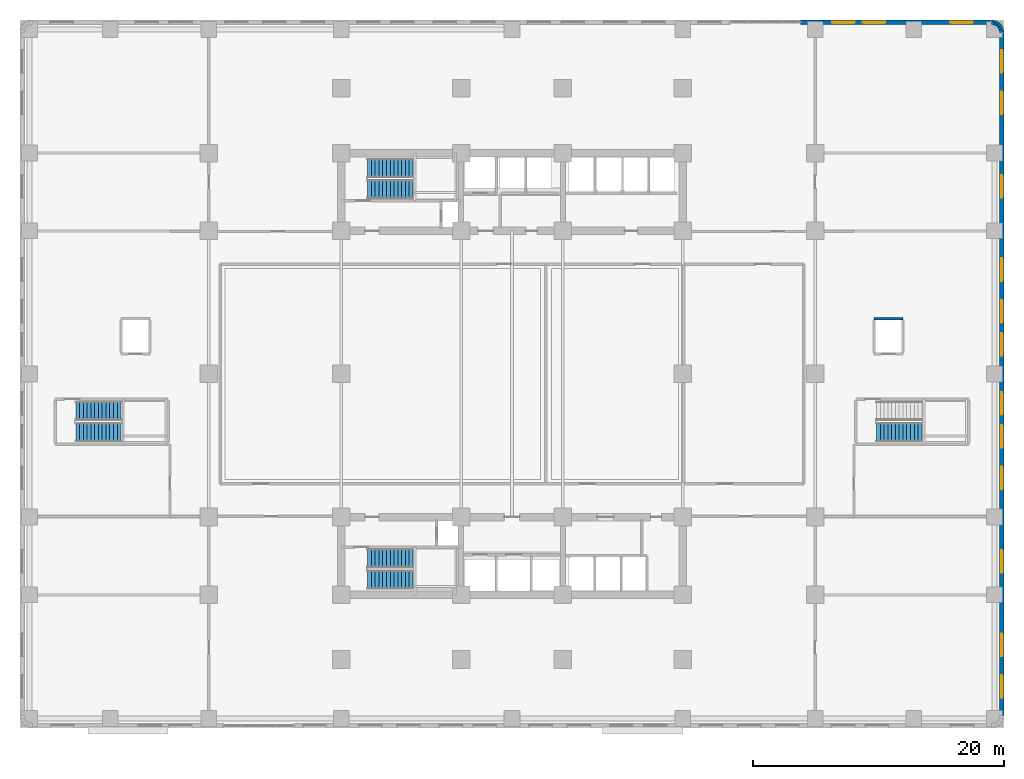
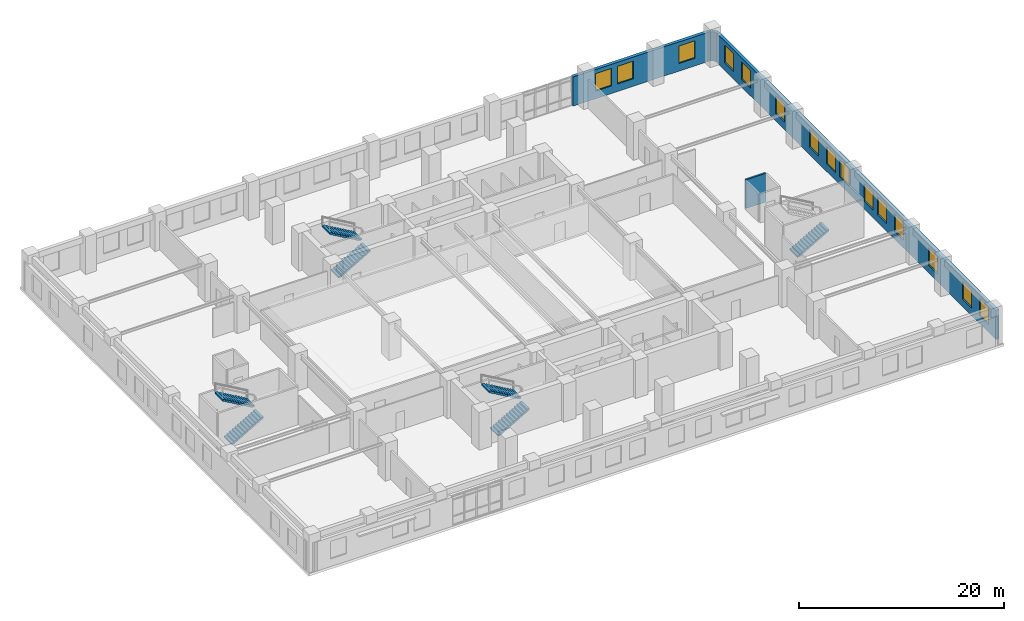
# One storey, part 11 of 16: 15 windows, 8 walls, 7 stair flights, 15 openings, 4 elements without a shape of their own.
"""IFC4 building model written with IfcOpenShell, lengths in metres."""

from ifc_helpers import new_model, si_unit, direction, frame, frame_2d, origin, place, context, subcontext, project, spatial, polyline, rectangle, outline, extrude, material, layer, layer_set, type_object, element, fill, aggregate, save


model = new_model("IFC4")

# Units and contexts
model_context = context("Model", 3, precision=1e-05, world=origin(), true_north=direction((0.0, 1.0)))
body_context = subcontext(model_context, "Body", "Model", "MODEL_VIEW")
ifc_project = project(units=[si_unit("LENGTHUNIT", "METRE"), si_unit("AREAUNIT", "SQUARE_METRE"), si_unit("VOLUMEUNIT", "CUBIC_METRE"), si_unit("PLANEANGLEUNIT", "RADIAN"), si_unit("MASSUNIT", "GRAM", prefix="KILO")], contexts=[model_context])

# Site, building, storey
site_placement = place(None, origin())
site = spatial("IfcSite", under=ifc_project, at=site_placement, CompositionType="ELEMENT")
building_placement = place(site_placement, origin())
building = spatial("IfcBuilding", under=site, at=building_placement, Name="Svetorya Sky Lyceum", CompositionType="ELEMENT")
storey_placement = place(building_placement, frame((0.0, 0.0, 11.10009765625)))
storey = spatial("IfcBuildingStorey", under=building, at=storey_placement, Name="L02", CompositionType="ELEMENT", Elevation=11.10009765625)

# Wall, openings, windows
ifc_material_1 = material(Name="Putilovo limestone rainscreen on autoclaved cellular masonry", Category="masonry")
ifc_layer_1 = layer(ifc_material_1, 0.360107421875)
ifc_layer_set_1 = layer_set([ifc_layer_1], Name="Putilovo limestone rainscreen on autoclaved cellular masonry")
wall_type_1 = type_object("IfcWallType", Name="WL-EXT-360", PredefinedType="SOLIDWALL", material=ifc_layer_set_1)
wall_1_placement = place(storey_placement, frame((78.219970703125, 0.97998046875, 0.0), z_axis=(0.0, 0.0, 1.0), x_axis=(0.0, 1.0, 0.0)))
wall_1 = element("IfcWall", 1, at=wall_1_placement, inside=storey, type_object=wall_type_1, Name="L02 Limestone Exterior Wall 12M", PredefinedType="SOLIDWALL", context=body_context, shape_type="SweptSolid", body=[
    extrude(rectangle(XDim=54.43994140625, YDim=0.360107421875, at=frame_2d((27.219970703125, 0.0))), origin(), (0.0, 0.0, 1.0), 3.47998046875),
])
opening_1_placement = place(wall_1_placement, frame((1.41064453125, 0.0, 0.89990234375)))
opening_1 = element("IfcOpeningElement", 2, at=opening_1_placement, cuts=wall_1, Name="Opening W-S2", PredefinedType="OPENING", context=body_context, shape_type="SweptSolid", body=[
    extrude(rectangle(XDim=1.800048828125, YDim=2.10009765625, at=frame_2d((0.89990234375, 1.050048828125))), frame((0.0, 0.18994140625, 0.0), z_axis=(0.0, -1.0, 0.0), x_axis=(1.0, 0.0, 0.0)), (0.0, 0.0, 1.0), 0.380126953125),
])
opening_2_placement = place(wall_1_placement, frame((4.73193359375, 0.0, 0.89990234375)))
opening_2 = element("IfcOpeningElement", 3, at=opening_2_placement, cuts=wall_1, Name="Opening W-S2", PredefinedType="OPENING", context=body_context, shape_type="SweptSolid", body=[
    extrude(rectangle(XDim=1.800048828125, YDim=2.10009765625, at=frame_2d((0.89990234375, 1.050048828125))), frame((0.0, 0.18994140625, 0.0), z_axis=(0.0, -1.0, 0.0), x_axis=(1.0, 0.0, 0.0)), (0.0, 0.0, 1.0), 0.380126953125),
])
opening_3_placement = place(wall_1_placement, frame((11.37451171875, 0.0, 0.89990234375)))
opening_3 = element("IfcOpeningElement", 4, at=opening_3_placement, cuts=wall_1, Name="Opening W-S2", PredefinedType="OPENING", context=body_context, shape_type="SweptSolid", body=[
    extrude(rectangle(XDim=1.800048828125, YDim=2.10009765625, at=frame_2d((0.89990234375, 1.050048828125))), frame((0.0, 0.18994140625, 0.0), z_axis=(0.0, -1.0, 0.0), x_axis=(1.0, 0.0, 0.0)), (0.0, 0.0, 1.0), 0.380126953125),
])
opening_4_placement = place(wall_1_placement, frame((18.016845703125, 0.0, 0.89990234375)))
opening_4 = element("IfcOpeningElement", 5, at=opening_4_placement, cuts=wall_1, Name="Opening W-S2", PredefinedType="OPENING", context=body_context, shape_type="SweptSolid", body=[
    extrude(rectangle(XDim=1.800048828125, YDim=2.10009765625, at=frame_2d((0.89990234375, 1.050048828125))), frame((0.0, 0.18994140625, 0.0), z_axis=(0.0, -1.0, 0.0), x_axis=(1.0, 0.0, 0.0)), (0.0, 0.0, 1.0), 0.380126953125),
])
opening_5_placement = place(wall_1_placement, frame((21.338134765625, 0.0, 0.89990234375)))
opening_5 = element("IfcOpeningElement", 6, at=opening_5_placement, cuts=wall_1, Name="Opening W-S2", PredefinedType="OPENING", context=body_context, shape_type="SweptSolid", body=[
    extrude(rectangle(XDim=1.800048828125, YDim=2.10009765625, at=frame_2d((0.89990234375, 1.050048828125))), frame((0.0, 0.18994140625, 0.0), z_axis=(0.0, -1.0, 0.0), x_axis=(1.0, 0.0, 0.0)), (0.0, 0.0, 1.0), 0.380126953125),
])
opening_6_placement = place(wall_1_placement, frame((23.95947265625, 0.0, 0.89990234375)))
opening_6 = element("IfcOpeningElement", 7, at=opening_6_placement, cuts=wall_1, Name="Opening W-S2", PredefinedType="OPENING", context=body_context, shape_type="SweptSolid", body=[
    extrude(rectangle(XDim=1.800048828125, YDim=2.10009765625, at=frame_2d((0.89990234375, 1.050048828125))), frame((0.0, 0.18994140625, 0.0), z_axis=(0.0, -1.0, 0.0), x_axis=(1.0, 0.0, 0.0)), (0.0, 0.0, 1.0), 0.380126953125),
])
opening_7_placement = place(wall_1_placement, frame((28.6806640625, 0.0, 0.89990234375)))
opening_7 = element("IfcOpeningElement", 8, at=opening_7_placement, cuts=wall_1, Name="Opening W-S2", PredefinedType="OPENING", context=body_context, shape_type="SweptSolid", body=[
    extrude(rectangle(XDim=1.800048828125, YDim=2.10009765625, at=frame_2d((0.89990234375, 1.050048828125))), frame((0.0, 0.18994140625, 0.0), z_axis=(0.0, -1.0, 0.0), x_axis=(1.0, 0.0, 0.0)), (0.0, 0.0, 1.0), 0.380126953125),
])
opening_8_placement = place(wall_1_placement, frame((31.302001953125, 0.0, 0.89990234375)))
opening_8 = element("IfcOpeningElement", 9, at=opening_8_placement, cuts=wall_1, Name="Opening W-S2", PredefinedType="OPENING", context=body_context, shape_type="SweptSolid", body=[
    extrude(rectangle(XDim=1.800048828125, YDim=2.10009765625, at=frame_2d((0.89990234375, 1.050048828125))), frame((0.0, 0.18994140625, 0.0), z_axis=(0.0, -1.0, 0.0), x_axis=(1.0, 0.0, 0.0)), (0.0, 0.0, 1.0), 0.380126953125),
])
opening_9_placement = place(wall_1_placement, frame((34.623046875, 0.0, 0.89990234375)))
opening_9 = element("IfcOpeningElement", 10, at=opening_9_placement, cuts=wall_1, Name="Opening W-S2", PredefinedType="OPENING", context=body_context, shape_type="SweptSolid", body=[
    extrude(rectangle(XDim=1.800048828125, YDim=2.10009765625, at=frame_2d((0.89990234375, 1.050048828125))), frame((0.0, 0.18994140625, 0.0), z_axis=(0.0, -1.0, 0.0), x_axis=(1.0, 0.0, 0.0)), (0.0, 0.0, 1.0), 0.380126953125),
])
opening_10_placement = place(wall_1_placement, frame((41.265625, 0.0, 0.89990234375)))
opening_10 = element("IfcOpeningElement", 11, at=opening_10_placement, cuts=wall_1, Name="Opening W-S2", PredefinedType="OPENING", context=body_context, shape_type="SweptSolid", body=[
    extrude(rectangle(XDim=1.800048828125, YDim=2.10009765625, at=frame_2d((0.89990234375, 1.050048828125))), frame((0.0, 0.18994140625, 0.0), z_axis=(0.0, -1.0, 0.0), x_axis=(1.0, 0.0, 0.0)), (0.0, 0.0, 1.0), 0.380126953125),
])
opening_11_placement = place(wall_1_placement, frame((47.908203125, 0.0, 0.89990234375)))
opening_11 = element("IfcOpeningElement", 12, at=opening_11_placement, cuts=wall_1, Name="Opening W-S2", PredefinedType="OPENING", context=body_context, shape_type="SweptSolid", body=[
    extrude(rectangle(XDim=1.800048828125, YDim=2.10009765625, at=frame_2d((0.89990234375, 1.050048828125))), frame((0.0, 0.18994140625, 0.0), z_axis=(0.0, -1.0, 0.0), x_axis=(1.0, 0.0, 0.0)), (0.0, 0.0, 1.0), 0.380126953125),
])
opening_12_placement = place(wall_1_placement, frame((51.2294921875, 0.0, 0.89990234375)))
opening_12 = element("IfcOpeningElement", 13, at=opening_12_placement, cuts=wall_1, Name="Opening W-S2", PredefinedType="OPENING", context=body_context, shape_type="SweptSolid", body=[
    extrude(rectangle(XDim=1.800048828125, YDim=2.10009765625, at=frame_2d((0.89990234375, 1.050048828125))), frame((0.0, 0.18994140625, 0.0), z_axis=(0.0, -1.0, 0.0), x_axis=(1.0, 0.0, 0.0)), (0.0, 0.0, 1.0), 0.380126953125),
])
ifc_material_2 = material(Name="Thermally broken aluminium frame with triple low-E glazing", Category="aluminium")
window_type = type_object("IfcWindowType", Name="WN-SCH-180", PartitioningType="DOUBLE_PANEL_VERTICAL", PredefinedType="WINDOW", material=ifc_material_2)
window_1_placement = place(opening_1_placement, origin())
window_1 = element("IfcWindow", 14, at=window_1_placement, inside=storey, type_object=window_type, Name="L02 Facade Window W-S2.12M.1", OverallHeight=2.10009765625, OverallWidth=1.800048828125, PartitioningType="SINGLE_PANEL", PredefinedType="WINDOW", context=body_context, shape_type="SweptSolid", body=[
    extrude(rectangle(XDim=1.800048828125, YDim=2.10009765625, at=frame_2d((0.89990234375, 1.050048828125))), frame((0.0, 0.030029296875, 0.0), z_axis=(0.0, -1.0, 0.0), x_axis=(1.0, 0.0, 0.0)), (0.0, 0.0, 1.0), 0.06005859375),
])
fill(opening_1, window_1)
window_2_placement = place(opening_2_placement, origin())
window_2 = element("IfcWindow", 15, at=window_2_placement, inside=storey, type_object=window_type, Name="L02 Facade Window W-S2.12M.2", OverallHeight=2.10009765625, OverallWidth=1.800048828125, PartitioningType="SINGLE_PANEL", PredefinedType="WINDOW", context=body_context, shape_type="SweptSolid", body=[
    extrude(rectangle(XDim=1.800048828125, YDim=2.10009765625, at=frame_2d((0.89990234375, 1.050048828125))), frame((0.0, 0.030029296875, 0.0), z_axis=(0.0, -1.0, 0.0), x_axis=(1.0, 0.0, 0.0)), (0.0, 0.0, 1.0), 0.06005859375),
])
fill(opening_2, window_2)
window_3_placement = place(opening_3_placement, origin())
window_3 = element("IfcWindow", 16, at=window_3_placement, inside=storey, type_object=window_type, Name="L02 Facade Window W-S2.12M.3", OverallHeight=2.10009765625, OverallWidth=1.800048828125, PartitioningType="SINGLE_PANEL", PredefinedType="WINDOW", context=body_context, shape_type="SweptSolid", body=[
    extrude(rectangle(XDim=1.800048828125, YDim=2.10009765625, at=frame_2d((0.89990234375, 1.050048828125))), frame((0.0, 0.030029296875, 0.0), z_axis=(0.0, -1.0, 0.0), x_axis=(1.0, 0.0, 0.0)), (0.0, 0.0, 1.0), 0.06005859375),
])
fill(opening_3, window_3)
window_4_placement = place(opening_4_placement, origin())
window_4 = element("IfcWindow", 17, at=window_4_placement, inside=storey, type_object=window_type, Name="L02 Facade Window W-S2.12M.4", OverallHeight=2.10009765625, OverallWidth=1.800048828125, PartitioningType="SINGLE_PANEL", PredefinedType="WINDOW", context=body_context, shape_type="SweptSolid", body=[
    extrude(rectangle(XDim=1.800048828125, YDim=2.10009765625, at=frame_2d((0.89990234375, 1.050048828125))), frame((0.0, 0.030029296875, 0.0), z_axis=(0.0, -1.0, 0.0), x_axis=(1.0, 0.0, 0.0)), (0.0, 0.0, 1.0), 0.06005859375),
])
fill(opening_4, window_4)
window_5_placement = place(opening_5_placement, origin())
window_5 = element("IfcWindow", 18, at=window_5_placement, inside=storey, type_object=window_type, Name="L02 Facade Window W-S2.12M.5", OverallHeight=2.10009765625, OverallWidth=1.800048828125, PartitioningType="SINGLE_PANEL", PredefinedType="WINDOW", context=body_context, shape_type="SweptSolid", body=[
    extrude(rectangle(XDim=1.800048828125, YDim=2.10009765625, at=frame_2d((0.89990234375, 1.050048828125))), frame((0.0, 0.030029296875, 0.0), z_axis=(0.0, -1.0, 0.0), x_axis=(1.0, 0.0, 0.0)), (0.0, 0.0, 1.0), 0.06005859375),
])
fill(opening_5, window_5)
window_6_placement = place(opening_6_placement, origin())
window_6 = element("IfcWindow", 19, at=window_6_placement, inside=storey, type_object=window_type, Name="L02 Facade Window W-S2.12M.6", OverallHeight=2.10009765625, OverallWidth=1.800048828125, PartitioningType="SINGLE_PANEL", PredefinedType="WINDOW", context=body_context, shape_type="SweptSolid", body=[
    extrude(rectangle(XDim=1.800048828125, YDim=2.10009765625, at=frame_2d((0.89990234375, 1.050048828125))), frame((0.0, 0.030029296875, 0.0), z_axis=(0.0, -1.0, 0.0), x_axis=(1.0, 0.0, 0.0)), (0.0, 0.0, 1.0), 0.06005859375),
])
fill(opening_6, window_6)
window_7_placement = place(opening_7_placement, origin())
window_7 = element("IfcWindow", 20, at=window_7_placement, inside=storey, type_object=window_type, Name="L02 Facade Window W-S2.12M.7", OverallHeight=2.10009765625, OverallWidth=1.800048828125, PartitioningType="SINGLE_PANEL", PredefinedType="WINDOW", context=body_context, shape_type="SweptSolid", body=[
    extrude(rectangle(XDim=1.800048828125, YDim=2.10009765625, at=frame_2d((0.89990234375, 1.050048828125))), frame((0.0, 0.030029296875, 0.0), z_axis=(0.0, -1.0, 0.0), x_axis=(1.0, 0.0, 0.0)), (0.0, 0.0, 1.0), 0.06005859375),
])
fill(opening_7, window_7)
window_8_placement = place(opening_8_placement, origin())
window_8 = element("IfcWindow", 21, at=window_8_placement, inside=storey, type_object=window_type, Name="L02 Facade Window W-S2.12M.8", OverallHeight=2.10009765625, OverallWidth=1.800048828125, PartitioningType="SINGLE_PANEL", PredefinedType="WINDOW", context=body_context, shape_type="SweptSolid", body=[
    extrude(rectangle(XDim=1.800048828125, YDim=2.10009765625, at=frame_2d((0.89990234375, 1.050048828125))), frame((0.0, 0.030029296875, 0.0), z_axis=(0.0, -1.0, 0.0), x_axis=(1.0, 0.0, 0.0)), (0.0, 0.0, 1.0), 0.06005859375),
])
fill(opening_8, window_8)
window_9_placement = place(opening_9_placement, origin())
window_9 = element("IfcWindow", 22, at=window_9_placement, inside=storey, type_object=window_type, Name="L02 Facade Window W-S2.12M.9", OverallHeight=2.10009765625, OverallWidth=1.800048828125, PartitioningType="SINGLE_PANEL", PredefinedType="WINDOW", context=body_context, shape_type="SweptSolid", body=[
    extrude(rectangle(XDim=1.800048828125, YDim=2.10009765625, at=frame_2d((0.89990234375, 1.050048828125))), frame((0.0, 0.030029296875, 0.0), z_axis=(0.0, -1.0, 0.0), x_axis=(1.0, 0.0, 0.0)), (0.0, 0.0, 1.0), 0.06005859375),
])
fill(opening_9, window_9)
window_10_placement = place(opening_10_placement, origin())
window_10 = element("IfcWindow", 23, at=window_10_placement, inside=storey, type_object=window_type, Name="L02 Facade Window W-S2.12M.10", OverallHeight=2.10009765625, OverallWidth=1.800048828125, PartitioningType="SINGLE_PANEL", PredefinedType="WINDOW", context=body_context, shape_type="SweptSolid", body=[
    extrude(rectangle(XDim=1.800048828125, YDim=2.10009765625, at=frame_2d((0.89990234375, 1.050048828125))), frame((0.0, 0.030029296875, 0.0), z_axis=(0.0, -1.0, 0.0), x_axis=(1.0, 0.0, 0.0)), (0.0, 0.0, 1.0), 0.06005859375),
])
fill(opening_10, window_10)
window_11_placement = place(opening_11_placement, origin())
window_11 = element("IfcWindow", 24, at=window_11_placement, inside=storey, type_object=window_type, Name="L02 Facade Window W-S2.12M.11", OverallHeight=2.10009765625, OverallWidth=1.800048828125, PartitioningType="SINGLE_PANEL", PredefinedType="WINDOW", context=body_context, shape_type="SweptSolid", body=[
    extrude(rectangle(XDim=1.800048828125, YDim=2.10009765625, at=frame_2d((0.89990234375, 1.050048828125))), frame((0.0, 0.030029296875, 0.0), z_axis=(0.0, -1.0, 0.0), x_axis=(1.0, 0.0, 0.0)), (0.0, 0.0, 1.0), 0.06005859375),
])
fill(opening_11, window_11)
window_12_placement = place(opening_12_placement, origin())
window_12 = element("IfcWindow", 25, at=window_12_placement, inside=storey, type_object=window_type, Name="L02 Facade Window W-S2.12M.12", OverallHeight=2.10009765625, OverallWidth=1.800048828125, PartitioningType="SINGLE_PANEL", PredefinedType="WINDOW", context=body_context, shape_type="SweptSolid", body=[
    extrude(rectangle(XDim=1.800048828125, YDim=2.10009765625, at=frame_2d((0.89990234375, 1.050048828125))), frame((0.0, 0.030029296875, 0.0), z_axis=(0.0, -1.0, 0.0), x_axis=(1.0, 0.0, 0.0)), (0.0, 0.0, 1.0), 0.06005859375),
])
fill(opening_12, window_12)

# Walls
wall_2_placement = place(storey_placement, frame((78.219970703125, 55.419921875, 0.0), z_axis=(0.0, 0.0, 1.0), x_axis=(-0.156012644899, 0.987755058014, 0.0)))
element("IfcWall", 26, at=wall_2_placement, inside=storey, type_object=wall_type_1, Name="L02 Limestone Exterior Wall 13M", PredefinedType="SOLIDWALL", context=body_context, shape_type="SweptSolid", body=[
    extrude(rectangle(XDim=0.25048828125, YDim=0.360107421875, at=frame_2d((0.125244140625, 0.0))), origin(), (0.0, 0.0, 1.0), 3.47998046875),
])
for number, where, z_axis, x_axis, name in (
    (27, (78.180908203125, 55.667236328125, 0.0), (0.0, 0.0, 1.0), (-0.45461251152, 0.89068931978, 0.0), "L02 Limestone Exterior Wall 14M"),
    (28, (78.067138671875, 55.89013671875, 0.0), (0.0, 0.0, 1.0), (-0.707106781187, 0.707106781187, 0.0), "L02 Limestone Exterior Wall 15M"),
    (29, (77.89013671875, 56.067138671875, 0.0), (0.0, 0.0, 1.0), (-0.89068931978, 0.45461251152, 0.0), "L02 Limestone Exterior Wall 16M"),
):
    element("IfcWall", number, at=place(storey_placement, frame(where, z_axis=z_axis, x_axis=x_axis)), inside=storey, type_object=wall_type_1, Name=name, PredefinedType="SOLIDWALL", context=body_context, shape_type="SweptSolid", body=[
        extrude(rectangle(XDim=0.250244140625, YDim=0.360107421875, at=frame_2d((0.125, 0.0))), origin(), (0.0, 0.0, 1.0), 3.47998046875),
    ])
wall_3_placement = place(storey_placement, frame((77.667236328125, 56.180908203125, 0.0), z_axis=(0.0, 0.0, 1.0), x_axis=(-0.987755058014, 0.156012644899, 0.0)))
element("IfcWall", 30, at=wall_3_placement, inside=storey, type_object=wall_type_1, Name="L02 Limestone Exterior Wall 17M", PredefinedType="SOLIDWALL", context=body_context, shape_type="SweptSolid", body=[
    extrude(rectangle(XDim=0.25048828125, YDim=0.360107421875, at=frame_2d((0.125244140625, 0.0))), origin(), (0.0, 0.0, 1.0), 3.47998046875),
])

# Wall, openings, windows
wall_4_placement = place(storey_placement, frame((77.419921875, 56.219970703125, 0.0), z_axis=(0.0, 0.0, 1.0), x_axis=(-1.0, 0.0, 0.0)))
wall_4 = element("IfcWall", 31, at=wall_4_placement, inside=storey, type_object=wall_type_1, Name="L02 Limestone Exterior Wall 18A", PredefinedType="SOLIDWALL", context=body_context, shape_type="SweptSolid", body=[
    extrude(rectangle(XDim=15.25, YDim=0.360107421875, at=frame_2d((7.625, 0.0))), origin(), (0.0, 0.0, 1.0), 3.47998046875),
])
opening_13_placement = place(wall_4_placement, frame((1.49365234375, 0.0, 0.89990234375)))
opening_13 = element("IfcOpeningElement", 32, at=opening_13_placement, cuts=wall_4, Name="Opening W-S2", PredefinedType="OPENING", context=body_context, shape_type="SweptSolid", body=[
    extrude(rectangle(XDim=1.800048828125, YDim=2.10009765625, at=frame_2d((0.89990234375, 1.050048828125))), frame((0.0, 0.18994140625, 0.0), z_axis=(0.0, -1.0, 0.0), x_axis=(1.0, 0.0, 0.0)), (0.0, 0.0, 1.0), 0.380126953125),
])
opening_14_placement = place(wall_4_placement, frame((8.46875, 0.0, 0.89990234375)))
opening_14 = element("IfcOpeningElement", 33, at=opening_14_placement, cuts=wall_4, Name="Opening W-S2", PredefinedType="OPENING", context=body_context, shape_type="SweptSolid", body=[
    extrude(rectangle(XDim=1.800048828125, YDim=2.10009765625, at=frame_2d((0.89990234375, 1.050048828125))), frame((0.0, 0.18994140625, 0.0), z_axis=(0.0, -1.0, 0.0), x_axis=(1.0, 0.0, 0.0)), (0.0, 0.0, 1.0), 0.380126953125),
])
opening_15_placement = place(wall_4_placement, frame((10.90625, 0.0, 0.89990234375)))
opening_15 = element("IfcOpeningElement", 34, at=opening_15_placement, cuts=wall_4, Name="Opening W-S2", PredefinedType="OPENING", context=body_context, shape_type="SweptSolid", body=[
    extrude(rectangle(XDim=1.800048828125, YDim=2.10009765625, at=frame_2d((0.89990234375, 1.050048828125))), frame((0.0, 0.18994140625, 0.0), z_axis=(0.0, -1.0, 0.0), x_axis=(1.0, 0.0, 0.0)), (0.0, 0.0, 1.0), 0.380126953125),
])
window_13_placement = place(opening_13_placement, origin())
window_13 = element("IfcWindow", 35, at=window_13_placement, inside=storey, type_object=window_type, Name="L02 Facade Window W-S2.18A.1", OverallHeight=2.10009765625, OverallWidth=1.800048828125, PartitioningType="SINGLE_PANEL", PredefinedType="WINDOW", context=body_context, shape_type="SweptSolid", body=[
    extrude(rectangle(XDim=1.800048828125, YDim=2.10009765625, at=frame_2d((0.89990234375, 1.050048828125))), frame((0.0, 0.030029296875, 0.0), z_axis=(0.0, -1.0, 0.0), x_axis=(1.0, 0.0, 0.0)), (0.0, 0.0, 1.0), 0.06005859375),
])
fill(opening_13, window_13)
window_14_placement = place(opening_14_placement, origin())
window_14 = element("IfcWindow", 36, at=window_14_placement, inside=storey, type_object=window_type, Name="L02 Facade Window W-S2.18A.2", OverallHeight=2.10009765625, OverallWidth=1.800048828125, PartitioningType="SINGLE_PANEL", PredefinedType="WINDOW", context=body_context, shape_type="SweptSolid", body=[
    extrude(rectangle(XDim=1.800048828125, YDim=2.10009765625, at=frame_2d((0.89990234375, 1.050048828125))), frame((0.0, 0.030029296875, 0.0), z_axis=(0.0, -1.0, 0.0), x_axis=(1.0, 0.0, 0.0)), (0.0, 0.0, 1.0), 0.06005859375),
])
fill(opening_14, window_14)
window_15_placement = place(opening_15_placement, origin())
window_15 = element("IfcWindow", 37, at=window_15_placement, inside=storey, type_object=window_type, Name="L02 Facade Window W-S2.18A.3", OverallHeight=2.10009765625, OverallWidth=1.800048828125, PartitioningType="SINGLE_PANEL", PredefinedType="WINDOW", context=body_context, shape_type="SweptSolid", body=[
    extrude(rectangle(XDim=1.800048828125, YDim=2.10009765625, at=frame_2d((0.89990234375, 1.050048828125))), frame((0.0, 0.030029296875, 0.0), z_axis=(0.0, -1.0, 0.0), x_axis=(1.0, 0.0, 0.0)), (0.0, 0.0, 1.0), 0.06005859375),
])
fill(opening_15, window_15)

# Wall
ifc_material_3 = material(Name="Autoclaved cellular masonry blockwork with gypsum plaster", Category="masonry")
ifc_layer_2 = layer(ifc_material_3, 0.199951171875)
ifc_layer_set_2 = layer_set([ifc_layer_2], Name="Autoclaved cellular masonry blockwork with gypsum plaster")
wall_type_2 = type_object("IfcWallType", Name="WL-PART-200", PredefinedType="PARTITIONING", material=ifc_layer_set_2)
wall_5_placement = place(storey_placement, frame((68.050048828125, 32.60009765625, 0.0), z_axis=(0.0, 0.0, 1.0), x_axis=(1.0, 0.0, 0.0)))
element("IfcWall", 38, at=wall_5_placement, inside=storey, type_object=wall_type_2, Name="L02 Interior Partition SHL-N-SCHL2", PredefinedType="PARTITIONING", context=body_context, shape_type="SweptSolid", body=[
    extrude(rectangle(XDim=2.300048828125, YDim=0.199951171875, at=frame_2d((1.14990234375, 0.0))), origin(), (0.0, 0.0, 1.0), 3.419921875),
])

# Stair, stair flights
ifc_material_4 = material(Name="Concrete C40/50", Category="concrete")
stair_type_1 = type_object("IfcStairType", Name="STR-ST-N", PredefinedType="HALF_TURN_STAIR", material=ifc_material_4)
stair_1_placement = place(storey_placement, origin())
stair_1 = element("IfcStair", 39, at=stair_1_placement, inside=storey, type_object=stair_type_1, Name="L02 North Core Smoke-Free Exit Stair N3", PredefinedType="HALF_TURN_STAIR")
stair_flight_type_1 = type_object("IfcStairFlightType", Name="SFL-ST-N", PredefinedType="STRAIGHT", material=ifc_material_4)
stair_flight_1_placement = place(storey_placement, frame((27.699951171875, 42.89990234375, 0.0), z_axis=(0.0, 0.0, 1.0), x_axis=(1.0, 0.0, 0.0)))
stair_flight_1 = element("IfcStairFlight", 40, at=stair_flight_1_placement, type_object=stair_flight_type_1, Name="ST-N flight 1", NumberOfRisers=13, NumberOfTreads=12, PredefinedType="STRAIGHT", RiserHeight=0.173076923, TreadLength=0.3, context=body_context, shape_type="SweptSolid", body=[
    extrude(outline(polyline([(0.0, 0.0), (0.0, 0.173095703125), (0.300048828125, 0.173095703125), (0.300048828125, 0.34619140625), (0.60009765625, 0.34619140625), (0.60009765625, 0.519287109375), (0.89990234375, 0.519287109375), (0.89990234375, 0.6923828125), (1.199951171875, 0.6923828125), (1.199951171875, 0.865478515625), (1.5, 0.865478515625), (1.5, 1.03857421875), (1.800048828125, 1.03857421875), (1.800048828125, 1.21142578125), (2.10009765625, 1.21142578125), (2.10009765625, 1.384521484375), (2.39990234375, 1.384521484375), (2.39990234375, 1.5576171875), (2.699951171875, 1.5576171875), (2.699951171875, 1.730712890625), (3.0, 1.730712890625), (3.0, 1.90380859375), (3.300048828125, 1.90380859375), (3.300048828125, 2.076904296875), (3.60009765625, 2.076904296875), (3.60009765625, 2.25), (3.60009765625, 1.90380859375), (0.300048828125, 0.0), (0.0, 0.0)])), frame((0.0, 0.75, 0.0), z_axis=(0.0, -1.0, 0.0), x_axis=(1.0, 0.0, 0.0)), (0.0, 0.0, 1.0), 1.5),
])
stair_flight_2_placement = place(storey_placement, frame((31.300048828125, 44.60009765625, 2.25), z_axis=(0.0, 0.0, 1.0), x_axis=(-1.0, 0.0, 0.0)))
stair_flight_2 = element("IfcStairFlight", 41, at=stair_flight_2_placement, type_object=stair_flight_type_1, Name="ST-N flight 2", NumberOfRisers=13, NumberOfTreads=12, PredefinedType="STRAIGHT", RiserHeight=0.173076923, TreadLength=0.3, context=body_context, shape_type="SweptSolid", body=[
    extrude(outline(polyline([(0.0, 0.0), (0.0, 0.173095703125), (0.300048828125, 0.173095703125), (0.300048828125, 0.34619140625), (0.60009765625, 0.34619140625), (0.60009765625, 0.519287109375), (0.89990234375, 0.519287109375), (0.89990234375, 0.6923828125), (1.199951171875, 0.6923828125), (1.199951171875, 0.865478515625), (1.5, 0.865478515625), (1.5, 1.03857421875), (1.800048828125, 1.03857421875), (1.800048828125, 1.21142578125), (2.10009765625, 1.21142578125), (2.10009765625, 1.384521484375), (2.39990234375, 1.384521484375), (2.39990234375, 1.5576171875), (2.699951171875, 1.5576171875), (2.699951171875, 1.730712890625), (3.0, 1.730712890625), (3.0, 1.90380859375), (3.300048828125, 1.90380859375), (3.300048828125, 2.076904296875), (3.60009765625, 2.076904296875), (3.60009765625, 2.25), (3.60009765625, 1.90380859375), (0.300048828125, 0.0), (0.0, 0.0)])), frame((0.0, 0.75, 0.0), z_axis=(0.0, -1.0, 0.0), x_axis=(1.0, 0.0, 0.0)), (0.0, 0.0, 1.0), 1.5),
])
aggregate(stair_1, [stair_flight_1, stair_flight_2])

stair_type_2 = type_object("IfcStairType", Name="STR-ST-S", PredefinedType="HALF_TURN_STAIR", material=ifc_material_4)
stair_2_placement = place(storey_placement, origin())
stair_2 = element("IfcStair", 42, at=stair_2_placement, inside=storey, type_object=stair_type_2, Name="L02 South Core Smoke-Free Exit Stair N2", PredefinedType="HALF_TURN_STAIR")
stair_flight_type_2 = type_object("IfcStairFlightType", Name="SFL-ST-S", PredefinedType="STRAIGHT", material=ifc_material_4)
stair_flight_3_placement = place(storey_placement, frame((27.699951171875, 11.800048828125, 0.0), z_axis=(0.0, 0.0, 1.0), x_axis=(1.0, 0.0, 0.0)))
stair_flight_3 = element("IfcStairFlight", 43, at=stair_flight_3_placement, type_object=stair_flight_type_2, Name="ST-S flight 1", NumberOfRisers=13, NumberOfTreads=12, PredefinedType="STRAIGHT", RiserHeight=0.173076923, TreadLength=0.3, context=body_context, shape_type="SweptSolid", body=[
    extrude(outline(polyline([(0.0, 0.0), (0.0, 0.173095703125), (0.300048828125, 0.173095703125), (0.300048828125, 0.34619140625), (0.60009765625, 0.34619140625), (0.60009765625, 0.519287109375), (0.89990234375, 0.519287109375), (0.89990234375, 0.6923828125), (1.199951171875, 0.6923828125), (1.199951171875, 0.865478515625), (1.5, 0.865478515625), (1.5, 1.03857421875), (1.800048828125, 1.03857421875), (1.800048828125, 1.21142578125), (2.10009765625, 1.21142578125), (2.10009765625, 1.384521484375), (2.39990234375, 1.384521484375), (2.39990234375, 1.5576171875), (2.699951171875, 1.5576171875), (2.699951171875, 1.730712890625), (3.0, 1.730712890625), (3.0, 1.90380859375), (3.300048828125, 1.90380859375), (3.300048828125, 2.076904296875), (3.60009765625, 2.076904296875), (3.60009765625, 2.25), (3.60009765625, 1.90380859375), (0.300048828125, 0.0), (0.0, 0.0)])), frame((0.0, 0.75, 0.0), z_axis=(0.0, -1.0, 0.0), x_axis=(1.0, 0.0, 0.0)), (0.0, 0.0, 1.0), 1.5),
])
stair_flight_4_placement = place(storey_placement, frame((31.300048828125, 13.5, 2.25), z_axis=(0.0, 0.0, 1.0), x_axis=(-1.0, 0.0, 0.0)))
stair_flight_4 = element("IfcStairFlight", 44, at=stair_flight_4_placement, type_object=stair_flight_type_2, Name="ST-S flight 2", NumberOfRisers=13, NumberOfTreads=12, PredefinedType="STRAIGHT", RiserHeight=0.173076923, TreadLength=0.3, context=body_context, shape_type="SweptSolid", body=[
    extrude(outline(polyline([(0.0, 0.0), (0.0, 0.173095703125), (0.300048828125, 0.173095703125), (0.300048828125, 0.34619140625), (0.60009765625, 0.34619140625), (0.60009765625, 0.519287109375), (0.89990234375, 0.519287109375), (0.89990234375, 0.6923828125), (1.199951171875, 0.6923828125), (1.199951171875, 0.865478515625), (1.5, 0.865478515625), (1.5, 1.03857421875), (1.800048828125, 1.03857421875), (1.800048828125, 1.21142578125), (2.10009765625, 1.21142578125), (2.10009765625, 1.384521484375), (2.39990234375, 1.384521484375), (2.39990234375, 1.5576171875), (2.699951171875, 1.5576171875), (2.699951171875, 1.730712890625), (3.0, 1.730712890625), (3.0, 1.90380859375), (3.300048828125, 1.90380859375), (3.300048828125, 2.076904296875), (3.60009765625, 2.076904296875), (3.60009765625, 2.25), (3.60009765625, 1.90380859375), (0.300048828125, 0.0), (0.0, 0.0)])), frame((0.0, 0.75, 0.0), z_axis=(0.0, -1.0, 0.0), x_axis=(1.0, 0.0, 0.0)), (0.0, 0.0, 1.0), 1.5),
])
aggregate(stair_2, [stair_flight_3, stair_flight_4])

# Stair, stair flight
stair_type_3 = type_object("IfcStairType", Name="STR-ST-SCH-E", PredefinedType="HALF_TURN_STAIR", material=ifc_material_4)
stair_3_placement = place(storey_placement, origin())
stair_3 = element("IfcStair", 45, at=stair_3_placement, inside=storey, type_object=stair_type_3, Name="L02 East Lyceum Podium Dedicated Stair", PredefinedType="HALF_TURN_STAIR")
stair_flight_type_3 = type_object("IfcStairFlightType", Name="SFL-ST-SCH-E", PredefinedType="STRAIGHT", material=ifc_material_4)
stair_flight_5_placement = place(storey_placement, frame((68.25, 23.550048828125, 0.0), z_axis=(0.0, 0.0, 1.0), x_axis=(1.0, 0.0, 0.0)))
stair_flight_5 = element("IfcStairFlight", 46, at=stair_flight_5_placement, type_object=stair_flight_type_3, Name="ST-SCH-E flight 1", NumberOfRisers=13, NumberOfTreads=12, PredefinedType="STRAIGHT", RiserHeight=0.173076923, TreadLength=0.3, context=body_context, shape_type="SweptSolid", body=[
    extrude(outline(polyline([(0.0, 0.0), (0.0, 0.173095703125), (0.300048828125, 0.173095703125), (0.300048828125, 0.34619140625), (0.60009765625, 0.34619140625), (0.60009765625, 0.519287109375), (0.89990234375, 0.519287109375), (0.89990234375, 0.6923828125), (1.199951171875, 0.6923828125), (1.199951171875, 0.865478515625), (1.5, 0.865478515625), (1.5, 1.03857421875), (1.800048828125, 1.03857421875), (1.800048828125, 1.21142578125), (2.10009765625, 1.21142578125), (2.10009765625, 1.384521484375), (2.39990234375, 1.384521484375), (2.39990234375, 1.5576171875), (2.699951171875, 1.5576171875), (2.699951171875, 1.730712890625), (3.0, 1.730712890625), (3.0, 1.90380859375), (3.300048828125, 1.90380859375), (3.300048828125, 2.076904296875), (3.60009765625, 2.076904296875), (3.60009765625, 2.25), (3.60009765625, 1.90380859375), (0.300048828125, 0.0), (0.0, 0.0)])), frame((0.0, 0.75, 0.0), z_axis=(0.0, -1.0, 0.0), x_axis=(1.0, 0.0, 0.0)), (0.0, 0.0, 1.0), 1.5),
])
aggregate(stair_3, [stair_flight_5])

# Stair, stair flights
stair_type_4 = type_object("IfcStairType", Name="STR-ST-SCH-W", PredefinedType="HALF_TURN_STAIR", material=ifc_material_4)
stair_4_placement = place(storey_placement, origin())
stair_4 = element("IfcStair", 47, at=stair_4_placement, inside=storey, type_object=stair_type_4, Name="L02 West Lyceum Podium Dedicated Stair", PredefinedType="HALF_TURN_STAIR")
stair_flight_type_4 = type_object("IfcStairFlightType", Name="SFL-ST-SCH-W", PredefinedType="STRAIGHT", material=ifc_material_4)
stair_flight_6_placement = place(storey_placement, frame((4.449951171875, 23.550048828125, 0.0), z_axis=(0.0, 0.0, 1.0), x_axis=(1.0, 0.0, 0.0)))
stair_flight_6 = element("IfcStairFlight", 48, at=stair_flight_6_placement, type_object=stair_flight_type_4, Name="ST-SCH-W flight 1", NumberOfRisers=13, NumberOfTreads=12, PredefinedType="STRAIGHT", RiserHeight=0.173076923, TreadLength=0.3, context=body_context, shape_type="SweptSolid", body=[
    extrude(outline(polyline([(0.0, 0.0), (0.0, 0.173095703125), (0.300048828125, 0.173095703125), (0.300048828125, 0.34619140625), (0.60009765625, 0.34619140625), (0.60009765625, 0.519287109375), (0.89990234375, 0.519287109375), (0.89990234375, 0.6923828125), (1.199951171875, 0.6923828125), (1.199951171875, 0.865478515625), (1.5, 0.865478515625), (1.5, 1.03857421875), (1.800048828125, 1.03857421875), (1.800048828125, 1.21142578125), (2.10009765625, 1.21142578125), (2.10009765625, 1.384521484375), (2.39990234375, 1.384521484375), (2.39990234375, 1.5576171875), (2.699951171875, 1.5576171875), (2.699951171875, 1.730712890625), (3.0, 1.730712890625), (3.0, 1.90380859375), (3.300048828125, 1.90380859375), (3.300048828125, 2.076904296875), (3.60009765625, 2.076904296875), (3.60009765625, 2.25), (3.60009765625, 1.90380859375), (0.300048828125, 0.0), (0.0, 0.0)])), frame((0.0, 0.75, 0.0), z_axis=(0.0, -1.0, 0.0), x_axis=(1.0, 0.0, 0.0)), (0.0, 0.0, 1.0), 1.5),
])
stair_flight_7_placement = place(storey_placement, frame((8.050048828125, 25.25, 2.25), z_axis=(0.0, 0.0, 1.0), x_axis=(-1.0, 0.0, 0.0)))
stair_flight_7 = element("IfcStairFlight", 49, at=stair_flight_7_placement, type_object=stair_flight_type_4, Name="ST-SCH-W flight 2", NumberOfRisers=13, NumberOfTreads=12, PredefinedType="STRAIGHT", RiserHeight=0.173076923, TreadLength=0.3, context=body_context, shape_type="SweptSolid", body=[
    extrude(outline(polyline([(0.0, 0.0), (0.0, 0.173095703125), (0.300048828125, 0.173095703125), (0.300048828125, 0.34619140625), (0.60009765625, 0.34619140625), (0.60009765625, 0.519287109375), (0.89990234375, 0.519287109375), (0.89990234375, 0.6923828125), (1.199951171875, 0.6923828125), (1.199951171875, 0.865478515625), (1.5, 0.865478515625), (1.5, 1.03857421875), (1.800048828125, 1.03857421875), (1.800048828125, 1.21142578125), (2.10009765625, 1.21142578125), (2.10009765625, 1.384521484375), (2.39990234375, 1.384521484375), (2.39990234375, 1.5576171875), (2.699951171875, 1.5576171875), (2.699951171875, 1.730712890625), (3.0, 1.730712890625), (3.0, 1.90380859375), (3.300048828125, 1.90380859375), (3.300048828125, 2.076904296875), (3.60009765625, 2.076904296875), (3.60009765625, 2.25), (3.60009765625, 1.90380859375), (0.300048828125, 0.0), (0.0, 0.0)])), frame((0.0, 0.75, 0.0), z_axis=(0.0, -1.0, 0.0), x_axis=(1.0, 0.0, 0.0)), (0.0, 0.0, 1.0), 1.5),
])
aggregate(stair_4, [stair_flight_6, stair_flight_7])

save(model, "model.ifc")
